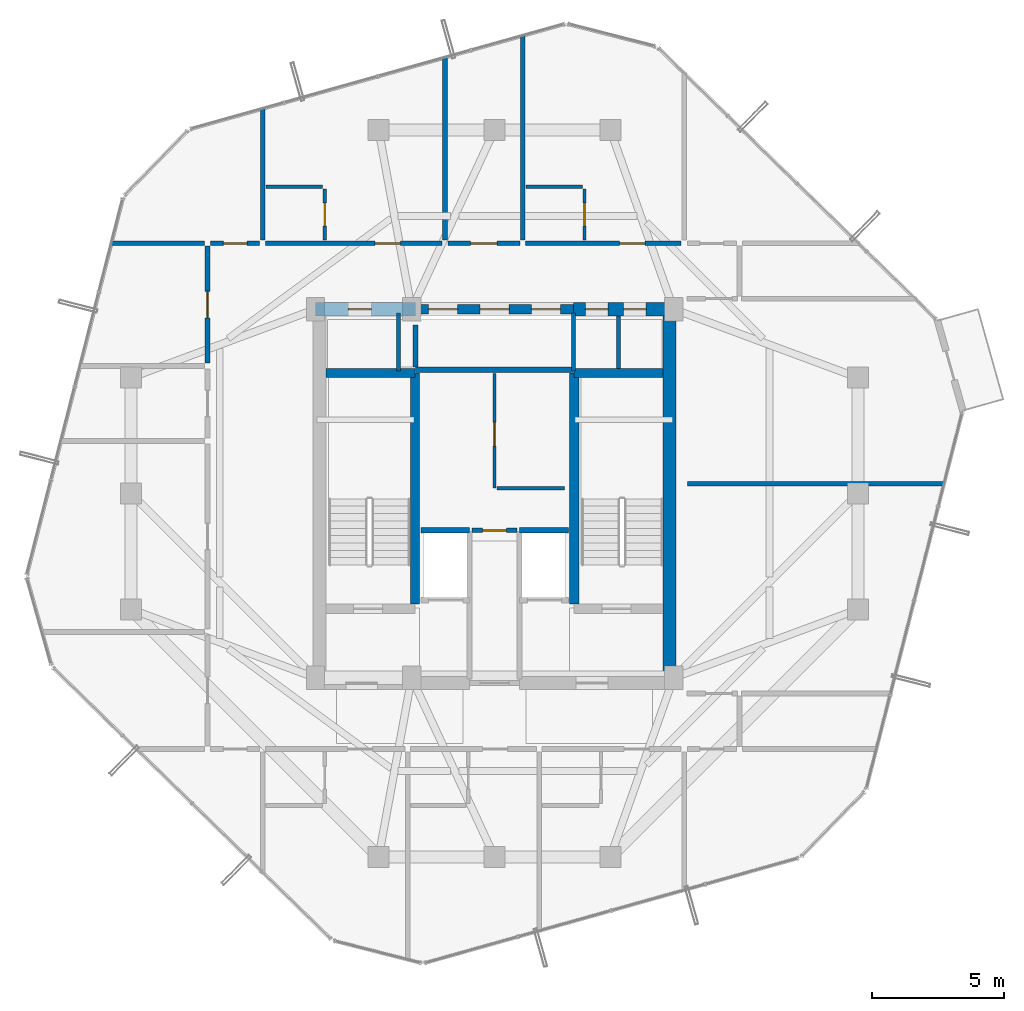
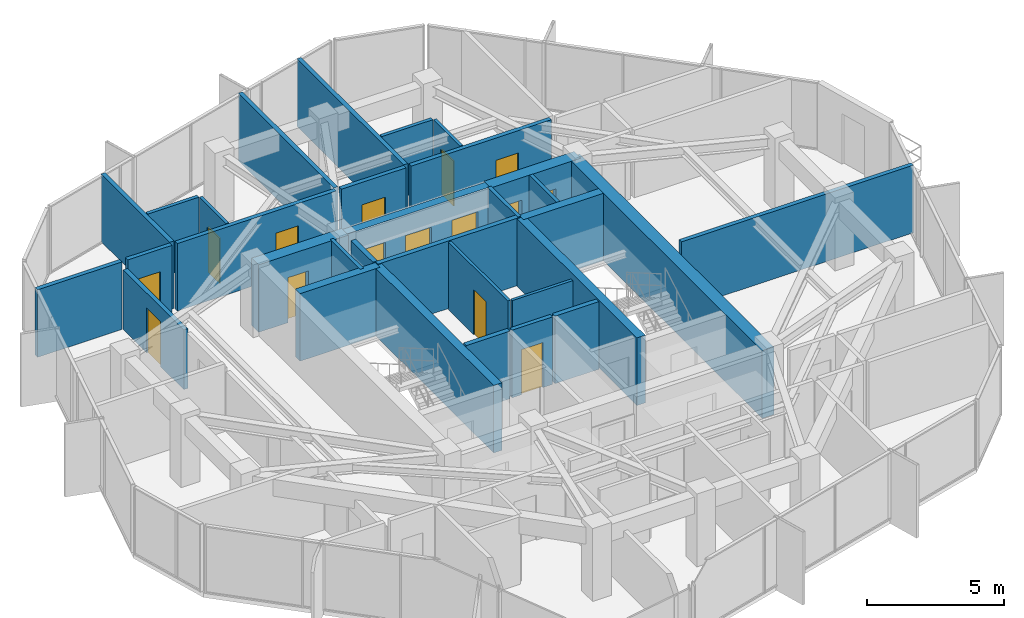
# One storey, part 26 of 29: 32 walls, 15 doors, 15 openings.
"""IFC4 building model written with IfcOpenShell, lengths in metres."""

from ifc_helpers import new_model, si_unit, direction, frame, frame_2d, origin, place, context, subcontext, project, spatial, rectangle, extrude, source, transform, mapped, material, layer, layer_set, type_object, element, fill, save


model = new_model("IFC4")

# Units and contexts
model_context = context("Model", 3, precision=1e-05, world=origin(), true_north=direction((0.0, 1.0)))
body_context = subcontext(model_context, "Body", "Model", "MODEL_VIEW")
ifc_project = project(units=[si_unit("LENGTHUNIT", "METRE"), si_unit("AREAUNIT", "SQUARE_METRE"), si_unit("VOLUMEUNIT", "CUBIC_METRE"), si_unit("PLANEANGLEUNIT", "RADIAN"), si_unit("MASSUNIT", "GRAM", prefix="KILO")], contexts=[model_context])

# Site, building, storey
site_placement = place(None, origin())
site = spatial("IfcSite", under=ifc_project, at=site_placement, CompositionType="ELEMENT")
building_placement = place(site_placement, origin())
building = spatial("IfcBuilding", under=site, at=building_placement, Name="Veraguas Prism Commons", CompositionType="ELEMENT")
storey_placement = place(building_placement, frame((0.0, 0.0, 257.75)))
storey = spatial("IfcBuildingStorey", under=building, at=storey_placement, Name="L73", CompositionType="ELEMENT", Elevation=257.75)

# Wall, openings, doors
ifc_material_1 = material(Name="Concrete C50/60", Category="concrete")
ifc_layer_1 = layer(ifc_material_1, 0.35009765625, Name="Core Internal Shear Wall Upper RC 350", Category="concrete")
ifc_layer_set_1 = layer_set([ifc_layer_1], Name="Concrete C50/60")
wall_type_1 = type_object("IfcWallType", Name="Core Internal Shear Wall Upper RC 350", PredefinedType="SHEAR", material=ifc_layer_set_1)
wall_1_placement = place(storey_placement, frame((21.0, 31.0, 0.0), z_axis=(0.0, 0.0, 1.0), x_axis=(1.0, 0.0, 0.0)))
wall_1 = element("IfcWall", 1, at=wall_1_placement, inside=storey, type_object=wall_type_1, Name="High-Rise Lift Bank Front Shear Wall L73", PredefinedType="SHEAR", context=body_context, shape_type="SweptSolid", body=[
    extrude(rectangle(XDim=6.0, YDim=0.35009765625, at=frame_2d((3.0, 0.0))), origin(), (0.0, 0.0, 1.0), 3.014892578125),
])
opening_1_placement = place(wall_1_placement, frame((0.5, 0.0, 0.0)))
opening_1 = element("IfcOpeningElement", 2, at=opening_1_placement, cuts=wall_1, Name="Opening LD-01", PredefinedType="OPENING", context=body_context, shape_type="SweptSolid", body=[
    extrude(rectangle(XDim=1.10009765625, YDim=2.080078125, at=frame_2d((0.550048828125, 1.0400390625))), frame((0.0, 0.18505859375, 0.0), z_axis=(0.0, -1.0, 0.0), x_axis=(1.0, 0.0, 0.0)), (0.0, 0.0, 1.0), 0.3701171875),
])
opening_2_placement = place(wall_1_placement, frame((2.449951171875, 0.0, 0.0)))
opening_2 = element("IfcOpeningElement", 3, at=opening_2_placement, cuts=wall_1, Name="Opening LD-01", PredefinedType="OPENING", context=body_context, shape_type="SweptSolid", body=[
    extrude(rectangle(XDim=1.10009765625, YDim=2.080078125, at=frame_2d((0.550048828125, 1.0400390625))), frame((0.0, 0.18505859375, 0.0), z_axis=(0.0, -1.0, 0.0), x_axis=(1.0, 0.0, 0.0)), (0.0, 0.0, 1.0), 0.3701171875),
])
opening_3_placement = place(wall_1_placement, frame((4.39990234375, 0.0, 0.0)))
opening_3 = element("IfcOpeningElement", 4, at=opening_3_placement, cuts=wall_1, Name="Opening LD-01", PredefinedType="OPENING", context=body_context, shape_type="SweptSolid", body=[
    extrude(rectangle(XDim=1.10009765625, YDim=2.080078125, at=frame_2d((0.550048828125, 1.0400390625))), frame((0.0, 0.18505859375, 0.0), z_axis=(0.0, -1.0, 0.0), x_axis=(1.0, 0.0, 0.0)), (0.0, 0.0, 1.0), 0.3701171875),
])
ifc_material_2 = material(Name="Stainless steel AISI 316", Category="steel")
door_type_1 = type_object("IfcDoorType", Name="Passenger Lift Sliding Landing Door 1100x2080", OperationType="NOTDEFINED", PredefinedType="DOOR", material=ifc_material_2)
shared_shape_1 = source(origin(), body_context, "Body", "SweptSolid", [
    extrude(rectangle(XDim=1.10009765625, YDim=2.080078125, at=frame_2d((0.550048828125, 1.0400390625))), frame((0.0, 0.02490234375, 0.0), z_axis=(0.0, -1.0, 0.0), x_axis=(1.0, 0.0, 0.0)), (0.0, 0.0, 1.0), 0.050048828125),
])
door_1_placement = place(opening_1_placement, origin())
door_1 = element("IfcDoor", 5, at=door_1_placement, inside=storey, type_object=door_type_1, Name="Sliding Landing Door PL-H1 L73", OperationType="SLIDING_TO_LEFT", OverallHeight=2.080078125, OverallWidth=1.10009765625, PredefinedType="DOOR", context=body_context, shape_type="MappedRepresentation", body=[
    mapped(shared_shape_1, transform((0.0, 0.0, 0.0), scale=1.0)),
])
fill(opening_1, door_1)
door_2_placement = place(opening_2_placement, origin())
door_2 = element("IfcDoor", 6, at=door_2_placement, inside=storey, type_object=door_type_1, Name="Sliding Landing Door PL-H2 L73", OperationType="SLIDING_TO_LEFT", OverallHeight=2.080078125, OverallWidth=1.10009765625, PredefinedType="DOOR", context=body_context, shape_type="MappedRepresentation", body=[
    mapped(shared_shape_1, transform((0.0, 0.0, 0.0), scale=1.0)),
])
fill(opening_2, door_2)
door_3_placement = place(opening_3_placement, origin())
door_3 = element("IfcDoor", 7, at=door_3_placement, inside=storey, type_object=door_type_1, Name="Sliding Landing Door PL-H3 L73", OperationType="SLIDING_TO_LEFT", OverallHeight=2.080078125, OverallWidth=1.10009765625, PredefinedType="DOOR", context=body_context, shape_type="MappedRepresentation", body=[
    mapped(shared_shape_1, transform((0.0, 0.0, 0.0), scale=1.0)),
])
fill(opening_3, door_3)

# Walls
for number, where, z_axis, x_axis, name in (
    (8, (20.97509765625, 19.800048828125, 0.0), (0.0, 0.0, 1.0), (0.0, 1.0, 0.0), "Stair ST-01 Inner Shear Wall L73"),
    (9, (27.02490234375, 19.800048828125, 0.0), (0.0, 0.0, 1.0), (0.0, 1.0, 0.0), "Stair ST-02 Inner Shear Wall L73"),
):
    element("IfcWall", number, at=place(storey_placement, frame(where, z_axis=z_axis, x_axis=x_axis)), inside=storey, type_object=wall_type_1, Name=name, PredefinedType="SHEAR", context=body_context, shape_type="SweptSolid", body=[
        extrude(rectangle(XDim=8.77490234375, YDim=0.35009765625, at=frame_2d((4.387451171875, 0.0))), origin(), (0.0, 0.0, 1.0), 3.014892578125),
    ])
for number, where, z_axis, x_axis, name in (
    (10, (17.60009765625, 28.574951171875, 0.0), (0.0, 0.0, 1.0), (1.0, 0.0, 0.0), "Stair ST-01 North Shear Wall L73"),
    (11, (27.02490234375, 28.574951171875, 0.0), (0.0, 0.0, 1.0), (1.0, 0.0, 0.0), "Stair ST-02 North Shear Wall L73"),
):
    element("IfcWall", number, at=place(storey_placement, frame(where, z_axis=z_axis, x_axis=x_axis)), inside=storey, type_object=wall_type_1, Name=name, PredefinedType="SHEAR", context=body_context, shape_type="SweptSolid", body=[
        extrude(rectangle(XDim=3.375, YDim=0.35009765625, at=frame_2d((1.6875, 0.0))), origin(), (0.0, 0.0, 1.0), 3.014892578125),
    ])
ifc_layer_2 = layer(ifc_material_1, 0.5, Name="Core Outer Shear Wall Upper RC 500", Category="concrete")
ifc_layer_set_2 = layer_set([ifc_layer_2], Name="Concrete C50/60")
wall_type_2 = type_object("IfcWallType", Name="Core Outer Shear Wall Upper RC 500", PredefinedType="SHEAR", material=ifc_layer_set_2)
wall_2_placement = place(storey_placement, frame((30.64990234375, 16.800048828125, 0.0), z_axis=(0.0, 0.0, 1.0), x_axis=(0.0, 1.0, 0.0)))
element("IfcWall", 12, at=wall_2_placement, inside=storey, type_object=wall_type_2, Name="Central Core East Shear Wall L73", PredefinedType="SHEAR", context=body_context, shape_type="SweptSolid", body=[
    extrude(rectangle(XDim=14.199951171875, YDim=0.5, at=frame_2d((7.10009765625, 0.0))), origin(), (0.0, 0.0, 1.0), 3.014892578125),
])

# Wall, opening, door
wall_3_placement = place(storey_placement, frame((17.199951171875, 31.0, 0.0), z_axis=(0.0, 0.0, 1.0), x_axis=(1.0, 0.0, 0.0)))
wall_3 = element("IfcWall", 13, at=wall_3_placement, inside=storey, type_object=wall_type_2, Name="Central Core North-West Shear Wall L73", PredefinedType="SHEAR", context=body_context, shape_type="SweptSolid", body=[
    extrude(rectangle(XDim=3.800048828125, YDim=0.5, at=frame_2d((1.89990234375, 0.0))), origin(), (0.0, 0.0, 1.0), 3.014892578125),
])
opening_4_placement = place(wall_3_placement, frame((1.25, 0.0, 0.0)))
opening_4 = element("IfcOpeningElement", 14, at=opening_4_placement, cuts=wall_3, Name="Opening DR-12", PredefinedType="OPENING", context=body_context, shape_type="SweptSolid", body=[
    extrude(rectangle(XDim=0.860107421875, YDim=2.010009765625, at=frame_2d((0.43017578125, 1.0048828125))), frame((0.0, 0.260009765625, 0.0), z_axis=(0.0, -1.0, 0.0), x_axis=(1.0, 0.0, 0.0)), (0.0, 0.0, 1.0), 0.52001953125),
])
ifc_material_3 = material(Name="Steel fire-rated door assembly", Category="steel")
door_type_2 = type_object("IfcDoorType", Name="Core WC Fire Door 860x2010", OperationType="NOTDEFINED", PredefinedType="DOOR", material=ifc_material_3)
shared_shape_2 = source(origin(), body_context, "Body", "SweptSolid", [
    extrude(rectangle(XDim=0.860107421875, YDim=2.010009765625, at=frame_2d((0.43017578125, 1.0048828125))), frame((0.0, 0.02490234375, 0.0), z_axis=(0.0, -1.0, 0.0), x_axis=(1.0, 0.0, 0.0)), (0.0, 0.0, 1.0), 0.050048828125),
])
door_4_placement = place(opening_4_placement, origin())
door_4 = element("IfcDoor", 15, at=door_4_placement, inside=storey, type_object=door_type_2, Name="Core NW Service Door L73", OperationType="SINGLE_SWING_LEFT", OverallHeight=2.010009765625, OverallWidth=0.860107421875, PredefinedType="DOOR", context=body_context, shape_type="MappedRepresentation", body=[
    mapped(shared_shape_2, transform((0.0, 0.0, 0.0), scale=1.0)),
])
fill(opening_4, door_4)

# Wall, openings, doors
wall_4_placement = place(storey_placement, frame((27.0, 31.0, 0.0), z_axis=(0.0, 0.0, 1.0), x_axis=(1.0, 0.0, 0.0)))
wall_4 = element("IfcWall", 16, at=wall_4_placement, inside=storey, type_object=wall_type_2, Name="Central Core North-East Shear Wall L73", PredefinedType="SHEAR", context=body_context, shape_type="SweptSolid", body=[
    extrude(rectangle(XDim=3.800048828125, YDim=0.5, at=frame_2d((1.89990234375, 0.0))), origin(), (0.0, 0.0, 1.0), 3.014892578125),
])
opening_5_placement = place(wall_4_placement, frame((0.449951171875, 0.0, 0.0)))
opening_5 = element("IfcOpeningElement", 17, at=opening_5_placement, cuts=wall_4, Name="Opening DR-12", PredefinedType="OPENING", context=body_context, shape_type="SweptSolid", body=[
    extrude(rectangle(XDim=0.860107421875, YDim=2.010009765625, at=frame_2d((0.43017578125, 1.0048828125))), frame((0.0, 0.260009765625, 0.0), z_axis=(0.0, -1.0, 0.0), x_axis=(1.0, 0.0, 0.0)), (0.0, 0.0, 1.0), 0.52001953125),
])
opening_6_placement = place(wall_4_placement, frame((1.89990234375, 0.0, 0.0)))
opening_6 = element("IfcOpeningElement", 18, at=opening_6_placement, cuts=wall_4, Name="Opening DR-12", PredefinedType="OPENING", context=body_context, shape_type="SweptSolid", body=[
    extrude(rectangle(XDim=0.860107421875, YDim=2.010009765625, at=frame_2d((0.43017578125, 1.0048828125))), frame((0.0, 0.260009765625, 0.0), z_axis=(0.0, -1.0, 0.0), x_axis=(1.0, 0.0, 0.0)), (0.0, 0.0, 1.0), 0.52001953125),
])
door_5_placement = place(opening_5_placement, origin())
door_5 = element("IfcDoor", 19, at=door_5_placement, inside=storey, type_object=door_type_2, Name="Core NE Room A Door L73", OperationType="SINGLE_SWING_RIGHT", OverallHeight=2.010009765625, OverallWidth=0.860107421875, PredefinedType="DOOR", context=body_context, shape_type="MappedRepresentation", body=[
    mapped(shared_shape_2, transform((0.0, 0.0, 0.0), scale=1.0)),
])
fill(opening_5, door_5)
door_6_placement = place(opening_6_placement, origin())
door_6 = element("IfcDoor", 20, at=door_6_placement, inside=storey, type_object=door_type_2, Name="Core NE Room B Door L73", OperationType="SINGLE_SWING_LEFT", OverallHeight=2.010009765625, OverallWidth=0.860107421875, PredefinedType="DOOR", context=body_context, shape_type="MappedRepresentation", body=[
    mapped(shared_shape_2, transform((0.0, 0.0, 0.0), scale=1.0)),
])
fill(opening_6, door_6)

# Wall, opening, door
ifc_material_4 = material(Name="Autoclaved aerated masonry block 10 MPa", Category="masonry")
ifc_layer_3 = layer(ifc_material_4, 0.179931640625, Name="Corridor and Inter-Tenancy Partition 180", Category="masonry")
ifc_layer_set_3 = layer_set([ifc_layer_3], Name="Autoclaved aerated masonry block 10 MPa")
wall_type_3 = type_object("IfcWallType", Name="Corridor and Inter-Tenancy Partition 180", PredefinedType="PARTITIONING", material=ifc_layer_set_3)
wall_5_placement = place(storey_placement, frame((23.14990234375, 22.60009765625, 0.0), z_axis=(0.0, 0.0, 1.0), x_axis=(1.0, 0.0, 0.0)))
wall_5 = element("IfcWall", 21, at=wall_5_placement, inside=storey, type_object=wall_type_3, Name="Core Suite Entry Wall L73", PredefinedType="PARTITIONING", context=body_context, shape_type="SweptSolid", body=[
    extrude(rectangle(XDim=1.7001953125, YDim=0.179931640625, at=frame_2d((0.85009765625, 0.0))), origin(), (0.0, 0.0, 1.0), 3.014892578125),
])
opening_7_placement = place(wall_5_placement, frame((0.39990234375, 0.0, 0.0)))
opening_7 = element("IfcOpeningElement", 22, at=opening_7_placement, cuts=wall_5, Name="Opening DR-14", PredefinedType="OPENING", context=body_context, shape_type="SweptSolid", body=[
    extrude(rectangle(XDim=0.89990234375, YDim=2.010009765625, at=frame_2d((0.449951171875, 1.0048828125))), frame((0.0, 0.099853515625, 0.0), z_axis=(0.0, -1.0, 0.0), x_axis=(1.0, 0.0, 0.0)), (0.0, 0.0, 1.0), 0.199951171875),
])
door_type_3 = type_object("IfcDoorType", Name="Core Service Room Fire Door 900x2010", OperationType="NOTDEFINED", PredefinedType="DOOR", material=ifc_material_3)
shared_shape_3 = source(origin(), body_context, "Body", "SweptSolid", [
    extrude(rectangle(XDim=0.89990234375, YDim=2.010009765625, at=frame_2d((0.449951171875, 1.0048828125))), frame((0.0, 0.02490234375, 0.0), z_axis=(0.0, -1.0, 0.0), x_axis=(1.0, 0.0, 0.0)), (0.0, 0.0, 1.0), 0.050048828125),
])
door_7_placement = place(opening_7_placement, origin())
door_7 = element("IfcDoor", 23, at=door_7_placement, inside=storey, type_object=door_type_3, Name="Core Suite Entry Door L73", OperationType="SINGLE_SWING_RIGHT", OverallHeight=2.010009765625, OverallWidth=0.89990234375, PredefinedType="DOOR", context=body_context, shape_type="MappedRepresentation", body=[
    mapped(shared_shape_3, transform((0.0, 0.0, 0.0), scale=1.0)),
])
fill(opening_7, door_7)

# Wall
wall_6_placement = place(storey_placement, frame((15.199951171875, 33.6201171875, 0.0), z_axis=(0.0, 0.0, 1.0), x_axis=(0.0, 1.0, 0.0)))
element("IfcWall", 24, at=wall_6_placement, inside=storey, type_object=wall_type_3, Name="WL-L73-PT014", PredefinedType="PARTITIONING", context=body_context, shape_type="SweptSolid", body=[
    extrude(rectangle(XDim=5.03125, YDim=0.179931640625, at=frame_2d((2.515625, 0.0))), origin(), (0.0, 0.0, 1.0), 3.014892578125),
])

# Wall, opening, door
wall_7_placement = place(storey_placement, frame((22.22998046875, 33.5, 0.0), z_axis=(0.0, 0.0, 1.0), x_axis=(1.0, 0.0, 0.0)))
wall_7 = element("IfcWall", 25, at=wall_7_placement, inside=storey, type_object=wall_type_3, Name="WL-L73-PT016", PredefinedType="PARTITIONING", context=body_context, shape_type="SweptSolid", body=[
    extrude(rectangle(XDim=2.72998046875, YDim=0.179931640625, at=frame_2d((1.364990234375, 0.0))), origin(), (0.0, 0.0, 1.0), 3.014892578125),
])
opening_8_placement = place(wall_7_placement, frame((0.864990234375, 0.0, 0.0)))
opening_8 = element("IfcOpeningElement", 26, at=opening_8_placement, cuts=wall_7, Name="Opening DR-13", PredefinedType="OPENING", context=body_context, shape_type="SweptSolid", body=[
    extrude(rectangle(XDim=1.0, YDim=2.010009765625, at=frame_2d((0.5, 1.0048828125))), frame((0.0, 0.099853515625, 0.0), z_axis=(0.0, -1.0, 0.0), x_axis=(1.0, 0.0, 0.0)), (0.0, 0.0, 1.0), 0.199951171875),
])
door_type_4 = type_object("IfcDoorType", Name="Core Accessible WC and Clinic Fire Door 1000x2010", OperationType="NOTDEFINED", PredefinedType="DOOR", material=ifc_material_3)
shared_shape_4 = source(origin(), body_context, "Body", "SweptSolid", [
    extrude(rectangle(XDim=1.0, YDim=2.010009765625, at=frame_2d((0.5, 1.0048828125))), frame((0.0, 0.02490234375, 0.0), z_axis=(0.0, -1.0, 0.0), x_axis=(1.0, 0.0, 0.0)), (0.0, 0.0, 1.0), 0.050048828125),
])
door_8_placement = place(opening_8_placement, origin())
door_8 = element("IfcDoor", 27, at=door_8_placement, inside=storey, type_object=door_type_4, Name="Quiet Study N Door", OperationType="SINGLE_SWING_RIGHT", OverallHeight=2.010009765625, OverallWidth=1.0, PredefinedType="DOOR", context=body_context, shape_type="MappedRepresentation", body=[
    mapped(shared_shape_4, transform((0.0, 0.0, 0.0), scale=1.0)),
])
fill(opening_8, door_8)

# Wall
wall_8_placement = place(storey_placement, frame((22.1201171875, 33.6201171875, 0.0), z_axis=(0.0, 0.0, 1.0), x_axis=(0.0, 1.0, 0.0)))
element("IfcWall", 28, at=wall_8_placement, inside=storey, type_object=wall_type_3, Name="WL-L73-PT017", PredefinedType="PARTITIONING", context=body_context, shape_type="SweptSolid", body=[
    extrude(rectangle(XDim=6.973876953125, YDim=0.179931640625, at=frame_2d((3.48681640625, 0.0))), origin(), (0.0, 0.0, 1.0), 3.014892578125),
])

# Wall, opening, door
wall_9_placement = place(storey_placement, frame((15.31005859375, 33.5, 0.0), z_axis=(0.0, 0.0, 1.0), x_axis=(1.0, 0.0, 0.0)))
wall_9 = element("IfcWall", 29, at=wall_9_placement, inside=storey, type_object=wall_type_3, Name="WL-L73-PT018", PredefinedType="PARTITIONING", context=body_context, shape_type="SweptSolid", body=[
    extrude(rectangle(XDim=6.699951171875, YDim=0.179931640625, at=frame_2d((3.35009765625, 0.0))), origin(), (0.0, 0.0, 1.0), 3.014892578125),
])
opening_9_placement = place(wall_9_placement, frame((4.158935546875, 0.0, 0.0)))
opening_9 = element("IfcOpeningElement", 30, at=opening_9_placement, cuts=wall_9, Name="Opening DR-01", PredefinedType="OPENING", context=body_context, shape_type="SweptSolid", body=[
    extrude(rectangle(XDim=0.949951171875, YDim=2.02001953125, at=frame_2d((0.47509765625, 1.010009765625))), frame((0.0, 0.099853515625, 0.0), z_axis=(0.0, -1.0, 0.0), x_axis=(1.0, 0.0, 0.0)), (0.0, 0.0, 1.0), 0.199951171875),
])
ifc_material_5 = material(Name="Anodised aluminium EN AW-6063 T6", Category="aluminium")
door_type_5 = type_object("IfcDoorType", Name="Apartment Entrance Fire Door 950x2020", OperationType="NOTDEFINED", PredefinedType="DOOR", material=ifc_material_5)
shared_shape_5 = source(origin(), body_context, "Body", "SweptSolid", [
    extrude(rectangle(XDim=0.949951171875, YDim=2.02001953125, at=frame_2d((0.47509765625, 1.010009765625))), frame((0.0, 0.02490234375, 0.0), z_axis=(0.0, -1.0, 0.0), x_axis=(1.0, 0.0, 0.0)), (0.0, 0.0, 1.0), 0.050048828125),
])
door_9_placement = place(opening_9_placement, origin())
door_9 = element("IfcDoor", 31, at=door_9_placement, inside=storey, type_object=door_type_5, Name="Studio 73D Entrance Door", OperationType="SINGLE_SWING_LEFT", OverallHeight=2.02001953125, OverallWidth=0.949951171875, PredefinedType="DOOR", context=body_context, shape_type="MappedRepresentation", body=[
    mapped(shared_shape_5, transform((0.0, 0.0, 0.0), scale=1.0)),
])
fill(opening_9, door_9)

# Wall
wall_10_placement = place(storey_placement, frame((25.070068359375, 33.6201171875, 0.0), z_axis=(0.0, 0.0, 1.0), x_axis=(0.0, 1.0, 0.0)))
element("IfcWall", 32, at=wall_10_placement, inside=storey, type_object=wall_type_3, Name="WL-L73-PT021", PredefinedType="PARTITIONING", context=body_context, shape_type="SweptSolid", body=[
    extrude(rectangle(XDim=7.802001953125, YDim=0.179931640625, at=frame_2d((3.90087890625, 0.0))), origin(), (0.0, 0.0, 1.0), 3.014892578125),
])

# Wall, opening, door
wall_11_placement = place(storey_placement, frame((25.179931640625, 33.5, 0.0), z_axis=(0.0, 0.0, 1.0), x_axis=(1.0, 0.0, 0.0)))
wall_11 = element("IfcWall", 33, at=wall_11_placement, inside=storey, type_object=wall_type_3, Name="WL-L73-PT022", PredefinedType="PARTITIONING", context=body_context, shape_type="SweptSolid", body=[
    extrude(rectangle(XDim=5.91015625, YDim=0.179931640625, at=frame_2d((2.955078125, 0.0))), origin(), (0.0, 0.0, 1.0), 3.014892578125),
])
opening_10_placement = place(wall_11_placement, frame((3.574462890625, 0.0, 0.0)))
opening_10 = element("IfcOpeningElement", 34, at=opening_10_placement, cuts=wall_11, Name="Opening DR-01", PredefinedType="OPENING", context=body_context, shape_type="SweptSolid", body=[
    extrude(rectangle(XDim=0.949951171875, YDim=2.02001953125, at=frame_2d((0.47509765625, 1.010009765625))), frame((0.0, 0.099853515625, 0.0), z_axis=(0.0, -1.0, 0.0), x_axis=(1.0, 0.0, 0.0)), (0.0, 0.0, 1.0), 0.199951171875),
])
door_10_placement = place(opening_10_placement, origin())
door_10 = element("IfcDoor", 35, at=door_10_placement, inside=storey, type_object=door_type_5, Name="Studio 73E Entrance Door", OperationType="SINGLE_SWING_LEFT", OverallHeight=2.02001953125, OverallWidth=0.949951171875, PredefinedType="DOOR", context=body_context, shape_type="MappedRepresentation", body=[
    mapped(shared_shape_5, transform((0.0, 0.0, 0.0), scale=1.0)),
])
fill(opening_10, door_10)

# Wall
wall_12_placement = place(storey_placement, frame((12.97998046875, 33.5, 0.0), z_axis=(0.0, 0.0, 1.0), x_axis=(-1.0, 0.0, 0.0)))
element("IfcWall", 36, at=wall_12_placement, inside=storey, type_object=wall_type_3, Name="WL-L73-PT026", PredefinedType="PARTITIONING", context=body_context, shape_type="SweptSolid", body=[
    extrude(rectangle(XDim=3.568115234375, YDim=0.179931640625, at=frame_2d((1.7841796875, 0.0))), origin(), (0.0, 0.0, 1.0), 3.014892578125),
])

# Wall, opening, door
wall_13_placement = place(storey_placement, frame((13.10009765625, 28.9560546875, 0.0), z_axis=(0.0, 0.0, 1.0), x_axis=(0.0, 1.0, 0.0)))
wall_13 = element("IfcWall", 37, at=wall_13_placement, inside=storey, type_object=wall_type_3, Name="WL-L73-PT032", PredefinedType="PARTITIONING", context=body_context, shape_type="SweptSolid", body=[
    extrude(rectangle(XDim=4.433837890625, YDim=0.179931640625, at=frame_2d((2.216796875, 0.0))), origin(), (0.0, 0.0, 1.0), 2.662109375),
])
opening_11_placement = place(wall_13_placement, frame((1.717041015625, 0.0, 0.0)))
opening_11 = element("IfcOpeningElement", 38, at=opening_11_placement, cuts=wall_13, Name="Opening DR-13", PredefinedType="OPENING", context=body_context, shape_type="SweptSolid", body=[
    extrude(rectangle(XDim=1.0, YDim=2.010009765625, at=frame_2d((0.5, 1.0048828125))), frame((0.0, 0.099853515625, 0.0), z_axis=(0.0, -1.0, 0.0), x_axis=(1.0, 0.0, 0.0)), (0.0, 0.0, 1.0), 0.199951171875),
])
door_11_placement = place(opening_11_placement, origin())
door_11 = element("IfcDoor", 39, at=door_11_placement, inside=storey, type_object=door_type_4, Name="Co-op Store W Door", OperationType="SINGLE_SWING_RIGHT", OverallHeight=2.010009765625, OverallWidth=1.0, PredefinedType="DOOR", context=body_context, shape_type="MappedRepresentation", body=[
    mapped(shared_shape_4, transform((0.0, 0.0, 0.0), scale=1.0)),
])
fill(opening_11, door_11)

# Wall
wall_14_placement = place(storey_placement, frame((31.320068359375, 24.375, 0.0), z_axis=(0.0, 0.0, 1.0), x_axis=(1.0, 0.0, 0.0)))
element("IfcWall", 40, at=wall_14_placement, inside=storey, type_object=wall_type_3, Name="WL-L73-PT034", PredefinedType="PARTITIONING", context=body_context, shape_type="SweptSolid", body=[
    extrude(rectangle(XDim=9.788818359375, YDim=0.179931640625, at=frame_2d((4.89453125, 0.0))), origin(), (0.0, 0.0, 1.0), 3.014892578125),
])

# Wall, opening, door
wall_15_placement = place(storey_placement, frame((13.219970703125, 33.5, 0.0), z_axis=(0.0, 0.0, 1.0), x_axis=(1.0, 0.0, 0.0)))
wall_15 = element("IfcWall", 41, at=wall_15_placement, inside=storey, type_object=wall_type_3, Name="WL-L73-PT044", PredefinedType="PARTITIONING", context=body_context, shape_type="SweptSolid", body=[
    extrude(rectangle(XDim=1.860107421875, YDim=0.179931640625, at=frame_2d((0.93017578125, 0.0))), origin(), (0.0, 0.0, 1.0), 3.014892578125),
])
opening_12_placement = place(wall_15_placement, frame((0.47998046875, 0.0, 0.0)))
opening_12 = element("IfcOpeningElement", 42, at=opening_12_placement, cuts=wall_15, Name="Opening DR-14", PredefinedType="OPENING", context=body_context, shape_type="SweptSolid", body=[
    extrude(rectangle(XDim=0.89990234375, YDim=2.010009765625, at=frame_2d((0.449951171875, 1.0048828125))), frame((0.0, 0.099853515625, 0.0), z_axis=(0.0, -1.0, 0.0), x_axis=(1.0, 0.0, 0.0)), (0.0, 0.0, 1.0), 0.199951171875),
])
door_12_placement = place(opening_12_placement, origin())
door_12 = element("IfcDoor", 43, at=door_12_placement, inside=storey, type_object=door_type_3, Name="Residents Cycle and Pram Store NW Door", OperationType="SINGLE_SWING_LEFT", OverallHeight=2.010009765625, OverallWidth=0.89990234375, PredefinedType="DOOR", context=body_context, shape_type="MappedRepresentation", body=[
    mapped(shared_shape_3, transform((0.0, 0.0, 0.0), scale=1.0)),
])
fill(opening_12, door_12)

# Wall
ifc_material_6 = material(Name="Lightweight acoustic gypsum board")
ifc_layer_4 = layer(ifc_material_6, 0.125, Name="Internal Apartment Room Partition 125")
ifc_layer_set_4 = layer_set([ifc_layer_4], Name="Lightweight acoustic gypsum board")
wall_type_4 = type_object("IfcWallType", Name="Internal Apartment Room Partition 125", PredefinedType="PARTITIONING", material=ifc_layer_set_4)
wall_16_placement = place(storey_placement, frame((24.10009765625, 24.199951171875, 0.0), z_axis=(0.0, 0.0, 1.0), x_axis=(1.0, 0.0, 0.0)))
element("IfcWall", 44, at=wall_16_placement, inside=storey, type_object=wall_type_4, Name="Telehealth Pod South Wall L73", PredefinedType="PARTITIONING", context=body_context, shape_type="SweptSolid", body=[
    extrude(rectangle(XDim=2.5498046875, YDim=0.125, at=frame_2d((1.27490234375, 0.0))), origin(), (0.0, 0.0, 1.0), 3.014892578125),
])

# Wall, opening, door
wall_17_placement = place(storey_placement, frame((24.0, 24.199951171875, 0.0), z_axis=(0.0, 0.0, 1.0), x_axis=(0.0, 1.0, 0.0)))
wall_17 = element("IfcWall", 45, at=wall_17_placement, inside=storey, type_object=wall_type_4, Name="Telehealth Pod West Wall L73", PredefinedType="PARTITIONING", context=body_context, shape_type="SweptSolid", body=[
    extrude(rectangle(XDim=4.35009765625, YDim=0.125, at=frame_2d((2.175048828125, 0.0))), origin(), (0.0, 0.0, 1.0), 3.014892578125),
])
opening_13_placement = place(wall_17_placement, frame((1.60009765625, 0.0, 0.0)))
opening_13 = element("IfcOpeningElement", 46, at=opening_13_placement, cuts=wall_17, Name="Opening DR-02", PredefinedType="OPENING", context=body_context, shape_type="SweptSolid", body=[
    extrude(rectangle(XDim=0.89990234375, YDim=2.010009765625, at=frame_2d((0.449951171875, 1.0048828125))), frame((0.0, 0.072509765625, 0.0), z_axis=(0.0, -1.0, 0.0), x_axis=(1.0, 0.0, 0.0)), (0.0, 0.0, 1.0), 0.14501953125),
])
ifc_material_7 = material(Name="Timber solid core hardwood", Category="wood")
door_type_6 = type_object("IfcDoorType", Name="Internal Habitable Room Door 900x2010", OperationType="NOTDEFINED", PredefinedType="DOOR", material=ifc_material_7)
door_13_placement = place(opening_13_placement, origin())
door_13 = element("IfcDoor", 47, at=door_13_placement, inside=storey, type_object=door_type_6, Name="Telehealth Pod Door L73", OperationType="SINGLE_SWING_LEFT", OverallHeight=2.010009765625, OverallWidth=0.89990234375, PredefinedType="DOOR", context=body_context, shape_type="MappedRepresentation", body=[
    mapped(shared_shape_3, transform((0.0, 0.0, 0.0), scale=1.0)),
])
fill(opening_13, door_13)

wall_18_placement = place(storey_placement, frame((17.550048828125, 33.6201171875, 0.0), z_axis=(0.0, 0.0, 1.0), x_axis=(0.0, 1.0, 0.0)))
wall_18 = element("IfcWall", 48, at=wall_18_placement, inside=storey, type_object=wall_type_4, Name="WL-L73-PT019", PredefinedType="PARTITIONING", context=body_context, shape_type="SweptSolid", body=[
    extrude(rectangle(XDim=1.949951171875, YDim=0.125, at=frame_2d((0.97509765625, 0.0))), origin(), (0.0, 0.0, 1.0), 3.014892578125),
])
opening_14_placement = place(wall_18_placement, frame((0.544921875, 0.0, 0.0)))
opening_14 = element("IfcOpeningElement", 49, at=opening_14_placement, cuts=wall_18, Name="Opening DR-03", PredefinedType="OPENING", context=body_context, shape_type="SweptSolid", body=[
    extrude(rectangle(XDim=0.860107421875, YDim=2.010009765625, at=frame_2d((0.43017578125, 1.0048828125))), frame((0.0, 0.072509765625, 0.0), z_axis=(0.0, -1.0, 0.0), x_axis=(1.0, 0.0, 0.0)), (0.0, 0.0, 1.0), 0.14501953125),
])
ifc_material_8 = material(Name="Timber moisture-resistant leaf", Category="wood")
door_type_7 = type_object("IfcDoorType", Name="Internal Bathroom Door 860x2010", OperationType="NOTDEFINED", PredefinedType="DOOR", material=ifc_material_8)
door_14_placement = place(opening_14_placement, origin())
door_14 = element("IfcDoor", 50, at=door_14_placement, inside=storey, type_object=door_type_7, Name="Studio 73D Bathroom Door", OperationType="SINGLE_SWING_RIGHT", OverallHeight=2.010009765625, OverallWidth=0.860107421875, PredefinedType="DOOR", context=body_context, shape_type="MappedRepresentation", body=[
    mapped(shared_shape_2, transform((0.0, 0.0, 0.0), scale=1.0)),
])
fill(opening_14, door_14)

wall_19_placement = place(storey_placement, frame((27.419921875, 33.6201171875, 0.0), z_axis=(0.0, 0.0, 1.0), x_axis=(0.0, 1.0, 0.0)))
wall_19 = element("IfcWall", 51, at=wall_19_placement, inside=storey, type_object=wall_type_4, Name="WL-L73-PT023", PredefinedType="PARTITIONING", context=body_context, shape_type="SweptSolid", body=[
    extrude(rectangle(XDim=1.949951171875, YDim=0.125, at=frame_2d((0.97509765625, 0.0))), origin(), (0.0, 0.0, 1.0), 3.014892578125),
])
opening_15_placement = place(wall_19_placement, frame((0.544921875, 0.0, 0.0)))
opening_15 = element("IfcOpeningElement", 52, at=opening_15_placement, cuts=wall_19, Name="Opening DR-03", PredefinedType="OPENING", context=body_context, shape_type="SweptSolid", body=[
    extrude(rectangle(XDim=0.860107421875, YDim=2.010009765625, at=frame_2d((0.43017578125, 1.0048828125))), frame((0.0, 0.072509765625, 0.0), z_axis=(0.0, -1.0, 0.0), x_axis=(1.0, 0.0, 0.0)), (0.0, 0.0, 1.0), 0.14501953125),
])
door_15_placement = place(opening_15_placement, origin())
door_15 = element("IfcDoor", 53, at=door_15_placement, inside=storey, type_object=door_type_7, Name="Studio 73E Bathroom Door", OperationType="SINGLE_SWING_RIGHT", OverallHeight=2.010009765625, OverallWidth=0.860107421875, PredefinedType="DOOR", context=body_context, shape_type="MappedRepresentation", body=[
    mapped(shared_shape_2, transform((0.0, 0.0, 0.0), scale=1.0)),
])
fill(opening_15, door_15)

# Walls
ifc_layer_5 = layer(ifc_material_4, 0.199951171875, Name="Rated Shaft and Lobby Block Wall 200", Category="masonry")
ifc_layer_set_5 = layer_set([ifc_layer_5], Name="Autoclaved aerated masonry block 10 MPa")
wall_type_5 = type_object("IfcWallType", Name="Rated Shaft and Lobby Block Wall 200", PredefinedType="SOLIDWALL", material=ifc_layer_set_5)
for number, where, z_axis, x_axis, name in (
    (54, (21.199951171875, 22.60009765625, 0.0), (0.0, 0.0, 1.0), (1.0, 0.0, 0.0), "Firefighting Lift FFL-1 Rear Wall L73"),
    (55, (24.949951171875, 22.60009765625, 0.0), (0.0, 0.0, 1.0), (1.0, 0.0, 0.0), "Firefighting Lift FFL-2 Rear Wall L73"),
):
    element("IfcWall", number, at=place(storey_placement, frame(where, z_axis=z_axis, x_axis=x_axis)), inside=storey, type_object=wall_type_5, Name=name, PredefinedType="SOLIDWALL", context=body_context, shape_type="SweptSolid", body=[
        extrude(rectangle(XDim=1.85009765625, YDim=0.199951171875, at=frame_2d((0.925048828125, 0.0))), origin(), (0.0, 0.0, 1.0), 3.014892578125),
    ])
wall_20_placement = place(storey_placement, frame((21.0, 28.699951171875, 0.0), z_axis=(0.0, 0.0, 1.0), x_axis=(1.0, 0.0, 0.0)))
element("IfcWall", 56, at=wall_20_placement, inside=storey, type_object=wall_type_5, Name="High-Rise Lift Bank Rear Shaft Wall L73", PredefinedType="SOLIDWALL", context=body_context, shape_type="SweptSolid", body=[
    extrude(rectangle(XDim=6.0, YDim=0.199951171875, at=frame_2d((3.0, 0.0))), origin(), (0.0, 0.0, 1.0), 3.014892578125),
])
wall_21_placement = place(storey_placement, frame((21.0, 28.800048828125, 0.0), z_axis=(0.0, 0.0, 1.0), x_axis=(0.0, 1.0, 0.0)))
element("IfcWall", 57, at=wall_21_placement, inside=storey, type_object=wall_type_5, Name="High-Rise Lift Bank West Shaft Wall L73", PredefinedType="SOLIDWALL", context=body_context, shape_type="SweptSolid", body=[
    extrude(rectangle(XDim=1.599853515625, YDim=0.199951171875, at=frame_2d((0.7998046875, 0.0))), origin(), (0.0, 0.0, 1.0), 3.014892578125),
])
ifc_layer_6 = layer(ifc_material_6, 0.14990234375, Name="Wet Room and Clinic Acoustic Partition 150")
ifc_layer_set_6 = layer_set([ifc_layer_6], Name="Lightweight acoustic gypsum board")
wall_type_6 = type_object("IfcWallType", Name="Wet Room and Clinic Acoustic Partition 150", PredefinedType="PARTITIONING", material=ifc_layer_set_6)
for number, where, z_axis, x_axis, name in (
    (58, (20.35009765625, 28.64990234375, 0.0), (0.0, 0.0, 1.0), (0.0, 1.0, 0.0), "Core NW Service Inner Wall L73"),
    (59, (27.0, 28.64990234375, 0.0), (0.0, 0.0, 1.0), (0.0, 1.0, 0.0), "Core NE Service Inner Wall L73"),
):
    element("IfcWall", number, at=place(storey_placement, frame(where, z_axis=z_axis, x_axis=x_axis)), inside=storey, type_object=wall_type_6, Name=name, PredefinedType="PARTITIONING", context=body_context, shape_type="SweptSolid", body=[
        extrude(rectangle(XDim=2.2001953125, YDim=0.14990234375, at=frame_2d((1.10009765625, 0.0))), origin(), (0.0, 0.0, 1.0), 3.014892578125),
    ])
wall_22_placement = place(storey_placement, frame((28.699951171875, 28.75, 0.0), z_axis=(0.0, 0.0, 1.0), x_axis=(0.0, 1.0, 0.0)))
element("IfcWall", 60, at=wall_22_placement, inside=storey, type_object=wall_type_6, Name="WL-L73-CSVD1", PredefinedType="PARTITIONING", context=body_context, shape_type="SweptSolid", body=[
    extrude(rectangle(XDim=2.0, YDim=0.14990234375, at=frame_2d((1.0, 0.0))), origin(), (0.0, 0.0, 1.0), 3.014892578125),
])
wall_23_placement = place(storey_placement, frame((15.320068359375, 35.64990234375, 0.0), z_axis=(0.0, 0.0, 1.0), x_axis=(1.0, 0.0, 0.0)))
element("IfcWall", 61, at=wall_23_placement, inside=storey, type_object=wall_type_6, Name="WL-L73-PT020", PredefinedType="PARTITIONING", context=body_context, shape_type="SweptSolid", body=[
    extrude(rectangle(XDim=2.14990234375, YDim=0.14990234375, at=frame_2d((1.074951171875, 0.0))), origin(), (0.0, 0.0, 1.0), 3.014892578125),
])
wall_24_placement = place(storey_placement, frame((25.18994140625, 35.64990234375, 0.0), z_axis=(0.0, 0.0, 1.0), x_axis=(1.0, 0.0, 0.0)))
element("IfcWall", 62, at=wall_24_placement, inside=storey, type_object=wall_type_6, Name="WL-L73-PT024", PredefinedType="PARTITIONING", context=body_context, shape_type="SweptSolid", body=[
    extrude(rectangle(XDim=2.150146484375, YDim=0.14990234375, at=frame_2d((1.0751953125, 0.0))), origin(), (0.0, 0.0, 1.0), 3.014892578125),
])

save(model, "model.ifc")
